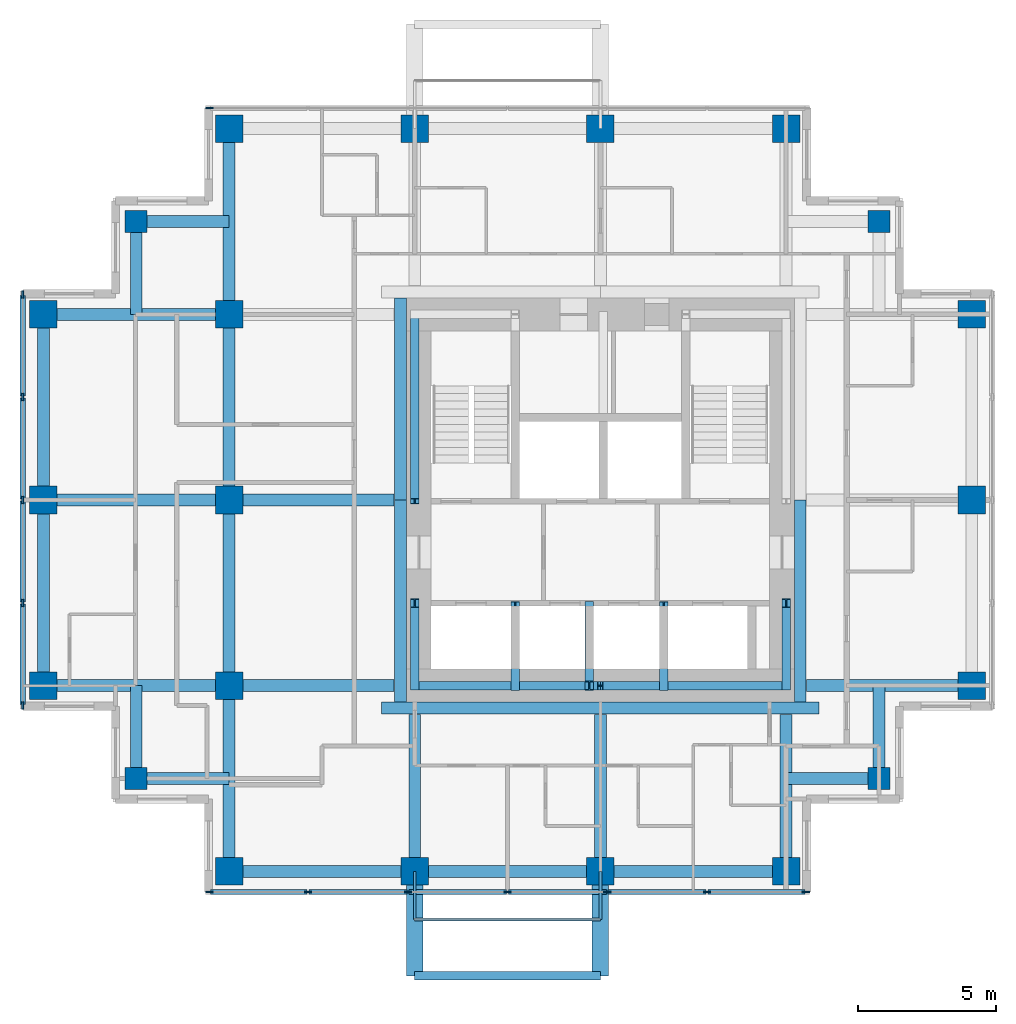
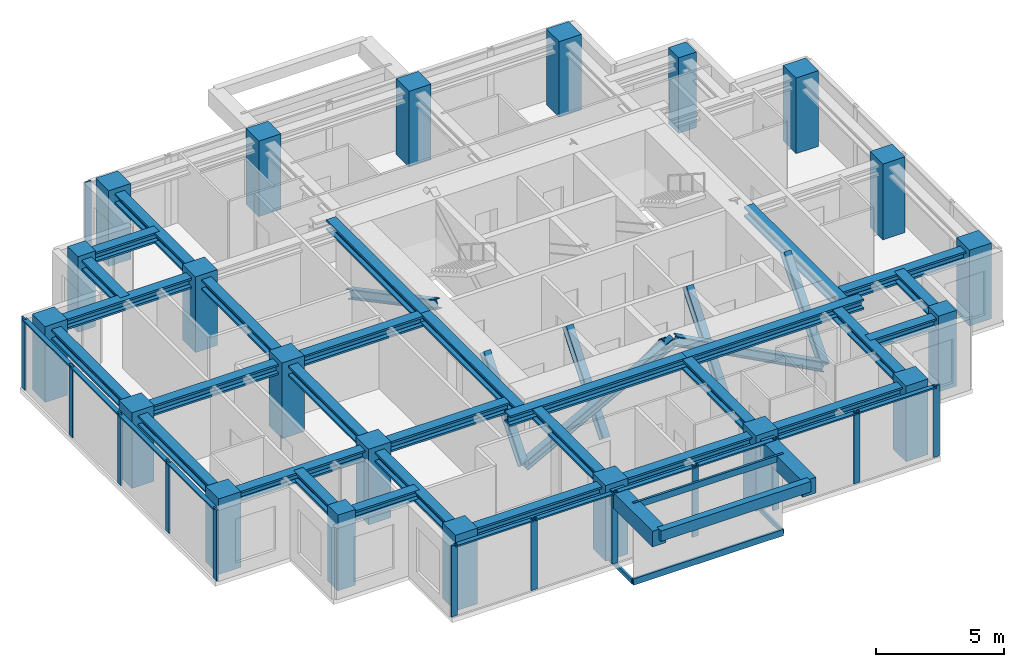
# One storey, part 1 of 7: 35 members, 32 beams, 21 columns, 3 elements without a shape of their own.
"""IFC4 building model written with IfcOpenShell, lengths in metres."""

from ifc_helpers import new_model, si_unit, direction, frame, origin, origin_2d, place, context, subcontext, project, spatial, rectangle, hollow_rectangle, i_section, extrude, material, material_profile, profile_set, type_object, element, aggregate, save


model = new_model("IFC4")

# Units and contexts
model_context = context("Model", 3, precision=1e-05, world=origin(), true_north=direction((0.0, 1.0)))
body_context = subcontext(model_context, "Body", "Model", "MODEL_VIEW")
ifc_project = project(units=[si_unit("LENGTHUNIT", "METRE"), si_unit("AREAUNIT", "SQUARE_METRE"), si_unit("VOLUMEUNIT", "CUBIC_METRE"), si_unit("PLANEANGLEUNIT", "RADIAN"), si_unit("MASSUNIT", "GRAM", prefix="KILO")], contexts=[model_context])

# Site, building, storey
site_placement = place(None, origin())
site = spatial("IfcSite", under=ifc_project, at=site_placement, CompositionType="ELEMENT")
building_placement = place(site_placement, origin())
building = spatial("IfcBuilding", under=site, at=building_placement, Name="Nyansa Garden Tower", CompositionType="ELEMENT")
storey_placement = place(building_placement, frame((0.0, 0.0, 236.699951171875)))
storey = spatial("IfcBuildingStorey", under=building, at=storey_placement, Name="L64", CompositionType="ELEMENT", Elevation=236.699951171875)

# Columns
ifc_material_1 = material(Name="Concrete C70/85", Category="concrete")
ifc_material_profile_1 = material_profile(ifc_material_1, rectangle(XDim=1.0, YDim=1.0, at=origin_2d()), Name="RC 1000x1000")
ifc_profile_set_1 = profile_set([ifc_material_profile_1], Name="Concrete C70/85")
column_type_1 = type_object("IfcColumnType", Name="Column C100 RC 1000x1000", PredefinedType="COLUMN", material=ifc_profile_set_1)
for number, where, z_axis, x_axis, name in (
    (1, (0.0, 13.5, 0.0), (0.0, 0.0, 1.0), (1.0, 0.0, 0.0), "Column 2/F L64"),
    (2, (0.0, 20.25, 0.0), (0.0, 0.0, 1.0), (1.0, 0.0, 0.0), "Column 2/G L64"),
    (3, (0.0, 27.0, 0.0), (0.0, 0.0, 1.0), (1.0, 0.0, 0.0), "Column 2/H L64"),
    (4, (6.75, 6.75, 0.0), (0.0, 0.0, 1.0), (1.0, 0.0, 0.0), "Column 3/E L64"),
    (5, (6.75, 13.5, 0.0), (0.0, 0.0, 1.0), (1.0, 0.0, 0.0), "Column 3/F L64"),
    (6, (6.75, 20.25, 0.0), (0.0, 0.0, 1.0), (1.0, 0.0, 0.0), "Column 3/G L64"),
    (7, (6.75, 27.0, 0.0), (0.0, 0.0, 1.0), (1.0, 0.0, 0.0), "Column 3/H L64"),
    (8, (6.75, 33.75, 0.0), (0.0, 0.0, 1.0), (1.0, 0.0, 0.0), "Column 3/J L64"),
    (9, (13.5, 6.75, 0.0), (0.0, 0.0, 1.0), (1.0, 0.0, 0.0), "Column 4/E L64"),
    (10, (13.5, 33.75, 0.0), (0.0, 0.0, 1.0), (1.0, 0.0, 0.0), "Column 4/J L64"),
    (11, (20.25, 6.75, 0.0), (0.0, 0.0, 1.0), (1.0, 0.0, 0.0), "Column 5/E L64"),
    (12, (20.25, 33.75, 0.0), (0.0, 0.0, 1.0), (1.0, 0.0, 0.0), "Column 5/J L64"),
    (13, (27.0, 6.75, 0.0), (0.0, 0.0, 1.0), (1.0, 0.0, 0.0), "Column 6/E L64"),
    (14, (27.0, 33.75, 0.0), (0.0, 0.0, 1.0), (1.0, 0.0, 0.0), "Column 6/J L64"),
    (15, (33.75, 13.5, 0.0), (0.0, 0.0, 1.0), (1.0, 0.0, 0.0), "Column 7/F L64"),
    (16, (33.75, 20.25, 0.0), (0.0, 0.0, 1.0), (1.0, 0.0, 0.0), "Column 7/G L64"),
    (17, (33.75, 27.0, 0.0), (0.0, 0.0, 1.0), (1.0, 0.0, 0.0), "Column 7/H L64"),
):
    element("IfcColumn", number, at=place(storey_placement, frame(where, z_axis=z_axis, x_axis=x_axis)), inside=storey, type_object=column_type_1, Name=name, PredefinedType="COLUMN", context=body_context, shape_type="SweptSolid", body=[
        extrude(rectangle(XDim=1.0, YDim=1.0, at=origin_2d()), origin(), (0.0, 0.0, 1.0), 3.60009765625),
    ])
ifc_material_2 = material(Name="Concrete C70/85", Category="concrete")
ifc_material_profile_2 = material_profile(ifc_material_2, rectangle(XDim=0.800048828125, YDim=0.800048828125, at=origin_2d()), Name="RC 800x800")
ifc_profile_set_2 = profile_set([ifc_material_profile_2], Name="Concrete C70/85")
column_type_2 = type_object("IfcColumnType", Name="Column C80 RC 800x800", PredefinedType="COLUMN", material=ifc_profile_set_2)
for number, where, z_axis, x_axis, name in (
    (18, (3.375, 10.125, 0.0), (0.0, 0.0, 1.0), (1.0, 0.0, 0.0), "Column x3.375/y10.125 L64"),
    (19, (3.375, 30.375, 0.0), (0.0, 0.0, 1.0), (1.0, 0.0, 0.0), "Column x3.375/y30.375 L64"),
    (20, (30.375, 10.125, 0.0), (0.0, 0.0, 1.0), (1.0, 0.0, 0.0), "Column x30.375/y10.125 L64"),
    (21, (30.375, 30.375, 0.0), (0.0, 0.0, 1.0), (1.0, 0.0, 0.0), "Column x30.375/y30.375 L64"),
):
    element("IfcColumn", number, at=place(storey_placement, frame(where, z_axis=z_axis, x_axis=x_axis)), inside=storey, type_object=column_type_2, Name=name, PredefinedType="COLUMN", context=body_context, shape_type="SweptSolid", body=[
        extrude(rectangle(XDim=0.800048828125, YDim=0.800048828125, at=origin_2d()), origin(), (0.0, 0.0, 1.0), 3.60009765625),
    ])

# Beams
ifc_material_3 = material(Name="Concrete C70/85", Category="concrete")
ifc_material_profile_3 = material_profile(ifc_material_3, rectangle(XDim=0.60009765625, YDim=0.75, at=origin_2d()), Name="RC 600x750")
ifc_profile_set_3 = profile_set([ifc_material_profile_3], Name="Concrete C70/85")
beam_type_1 = type_object("IfcBeamType", Name="Balcony cantilever beam CB1 RC 600x750", PredefinedType="BEAM", material=ifc_profile_set_3)
for number, where, z_axis, x_axis, name in (
    (22, (13.5, 6.75, 2.985107421875), (0.0, -1.0, 0.0), (1.0, 0.0, 0.0), "Balcony cantilever beam L65"),
    (23, (20.25, 6.75, 2.985107421875), (0.0, -1.0, 0.0), (1.0, 0.0, 0.0), "Balcony cantilever beam L65"),
):
    element("IfcBeam", number, at=place(storey_placement, frame(where, z_axis=z_axis, x_axis=x_axis)), inside=storey, type_object=beam_type_1, Name=name, PredefinedType="BEAM", context=body_context, shape_type="SweptSolid", body=[
        extrude(rectangle(XDim=0.60009765625, YDim=0.75, at=origin_2d()), origin(), (0.0, 0.0, 1.0), 3.800048828125),
    ])
ifc_material_4 = material(Name="Concrete C70/85", Category="concrete")
ifc_material_profile_4 = material_profile(ifc_material_4, rectangle(XDim=0.300048828125, YDim=0.5, at=origin_2d()), Name="RC 300x500")
ifc_profile_set_4 = profile_set([ifc_material_profile_4], Name="Concrete C70/85")
beam_type_2 = type_object("IfcBeamType", Name="Balcony edge beam BE1 RC 300x500", PredefinedType="BEAM", material=ifc_profile_set_4)
beam_1_placement = place(storey_placement, frame((13.5, 2.949951171875, 3.110107421875), z_axis=(1.0, 0.0, 0.0), x_axis=(0.0, 1.0, 0.0)))
element("IfcBeam", 24, at=beam_1_placement, inside=storey, type_object=beam_type_2, Name="Balcony edge beam L65", PredefinedType="BEAM", context=body_context, shape_type="SweptSolid", body=[
    extrude(rectangle(XDim=0.300048828125, YDim=0.5, at=origin_2d()), origin(), (0.0, 0.0, 1.0), 6.75),
])

# Curtain wall, member
ifc_material_5 = material(Name="Black anodised aluminium, dark tinted double glazing", Category="aluminium")
curtain_wall_type = type_object("IfcCurtainWallType", Name="Inner skin curtain wall ISW-D", PredefinedType="USERDEFINED", material=ifc_material_5)
curtain_wall_1_placement = place(storey_placement, origin())
curtain_wall_1 = element("IfcCurtainWall", 25, at=curtain_wall_1_placement, inside=storey, type_object=curtain_wall_type, Name="Inner skin curtain wall L64 N", ObjectType="UNITISED CURTAIN WALL", PredefinedType="USERDEFINED")
ifc_material_6 = material(Name="Black anodised aluminium", Category="aluminium")
ifc_material_profile_5 = material_profile(ifc_material_6, rectangle(XDim=0.070068359375, YDim=0.27490234375, at=origin_2d()), Name="Mullion 275x70")
ifc_profile_set_5 = profile_set([ifc_material_profile_5], Name="Black anodised aluminium")
member_type_1 = type_object("IfcMemberType", Name="Mullion ISW-D 275x70", PredefinedType="MULLION", material=ifc_profile_set_5)
member_1_placement = place(storey_placement, frame((6.034912109375, 34.5, 0.0), z_axis=(0.0, 0.0, 1.0), x_axis=(0.0, -1.0, 0.0)))
member_1 = element("IfcMember", 26, at=member_1_placement, type_object=member_type_1, Name="ISW-D mullion 7", PredefinedType="MULLION", context=body_context, shape_type="SweptSolid", body=[
    extrude(rectangle(XDim=0.070068359375, YDim=0.27490234375, at=origin_2d()), origin(), (0.0, 0.0, 1.0), 3.375),
])
aggregate(curtain_wall_1, [member_1])

# Curtain wall, members
curtain_wall_2_placement = place(storey_placement, origin())
curtain_wall_2 = element("IfcCurtainWall", 27, at=curtain_wall_2_placement, inside=storey, type_object=curtain_wall_type, Name="Inner skin curtain wall L64 W", ObjectType="UNITISED CURTAIN WALL", PredefinedType="USERDEFINED")
member_2_placement = place(storey_placement, frame((-0.75, 27.715087890625, 0.0), z_axis=(0.0, 0.0, 1.0), x_axis=(1.0, 0.0, 0.0)))
member_2 = element("IfcMember", 28, at=member_2_placement, type_object=member_type_1, Name="ISW-D mullion 1", PredefinedType="MULLION", context=body_context, shape_type="SweptSolid", body=[
    extrude(rectangle(XDim=0.070068359375, YDim=0.27490234375, at=origin_2d()), origin(), (0.0, 0.0, 1.0), 3.375),
])
member_3_placement = place(storey_placement, frame((-0.75, 24.0, 0.0), z_axis=(0.0, 0.0, 1.0), x_axis=(1.0, 0.0, 0.0)))
member_3 = element("IfcMember", 29, at=member_3_placement, type_object=member_type_1, Name="ISW-D mullion 2", PredefinedType="MULLION", context=body_context, shape_type="SweptSolid", body=[
    extrude(rectangle(XDim=0.070068359375, YDim=0.27490234375, at=origin_2d()), origin(), (0.0, 0.0, 1.0), 3.375),
])
member_4_placement = place(storey_placement, frame((-0.75, 20.25, 0.0), z_axis=(0.0, 0.0, 1.0), x_axis=(1.0, 0.0, 0.0)))
member_4 = element("IfcMember", 30, at=member_4_placement, type_object=member_type_1, Name="ISW-D mullion 3", PredefinedType="MULLION", context=body_context, shape_type="SweptSolid", body=[
    extrude(rectangle(XDim=0.070068359375, YDim=0.27490234375, at=origin_2d()), origin(), (0.0, 0.0, 1.0), 3.375),
])
member_5_placement = place(storey_placement, frame((-0.75, 16.5, 0.0), z_axis=(0.0, 0.0, 1.0), x_axis=(1.0, 0.0, 0.0)))
member_5 = element("IfcMember", 31, at=member_5_placement, type_object=member_type_1, Name="ISW-D mullion 4", PredefinedType="MULLION", context=body_context, shape_type="SweptSolid", body=[
    extrude(rectangle(XDim=0.070068359375, YDim=0.27490234375, at=origin_2d()), origin(), (0.0, 0.0, 1.0), 3.375),
])
member_6_placement = place(storey_placement, frame((-0.75, 12.784912109375, 0.0), z_axis=(0.0, 0.0, 1.0), x_axis=(1.0, 0.0, 0.0)))
member_6 = element("IfcMember", 32, at=member_6_placement, type_object=member_type_1, Name="ISW-D mullion 5", PredefinedType="MULLION", context=body_context, shape_type="SweptSolid", body=[
    extrude(rectangle(XDim=0.070068359375, YDim=0.27490234375, at=origin_2d()), origin(), (0.0, 0.0, 1.0), 3.375),
])

curtain_wall_3_placement = place(storey_placement, origin())
curtain_wall_3 = element("IfcCurtainWall", 33, at=curtain_wall_3_placement, inside=storey, type_object=curtain_wall_type, Name="Inner skin curtain wall L64 S", ObjectType="UNITISED CURTAIN WALL", PredefinedType="USERDEFINED")
member_7_placement = place(storey_placement, frame((6.034912109375, 6.0, 0.0), z_axis=(0.0, 0.0, 1.0), x_axis=(0.0, 1.0, 0.0)))
member_7 = element("IfcMember", 34, at=member_7_placement, type_object=member_type_1, Name="ISW-D mullion 1", PredefinedType="MULLION", context=body_context, shape_type="SweptSolid", body=[
    extrude(rectangle(XDim=0.070068359375, YDim=0.27490234375, at=origin_2d()), origin(), (0.0, 0.0, 1.0), 3.375),
])
member_8_placement = place(storey_placement, frame((9.625, 6.0, 0.0), z_axis=(0.0, 0.0, 1.0), x_axis=(0.0, 1.0, 0.0)))
member_8 = element("IfcMember", 35, at=member_8_placement, type_object=member_type_1, Name="ISW-D mullion 2", PredefinedType="MULLION", context=body_context, shape_type="SweptSolid", body=[
    extrude(rectangle(XDim=0.070068359375, YDim=0.27490234375, at=origin_2d()), origin(), (0.0, 0.0, 1.0), 3.375),
])
member_9_placement = place(storey_placement, frame((13.25, 6.0, 0.0), z_axis=(0.0, 0.0, 1.0), x_axis=(0.0, 1.0, 0.0)))
member_9 = element("IfcMember", 36, at=member_9_placement, type_object=member_type_1, Name="ISW-D mullion 3", PredefinedType="MULLION", context=body_context, shape_type="SweptSolid", body=[
    extrude(rectangle(XDim=0.070068359375, YDim=0.27490234375, at=origin_2d()), origin(), (0.0, 0.0, 1.0), 3.375),
])
member_10_placement = place(storey_placement, frame((16.875, 6.0, 0.0), z_axis=(0.0, 0.0, 1.0), x_axis=(0.0, 1.0, 0.0)))
member_10 = element("IfcMember", 37, at=member_10_placement, type_object=member_type_1, Name="ISW-D mullion 4", PredefinedType="MULLION", context=body_context, shape_type="SweptSolid", body=[
    extrude(rectangle(XDim=0.070068359375, YDim=0.27490234375, at=origin_2d()), origin(), (0.0, 0.0, 1.0), 3.375),
])
member_11_placement = place(storey_placement, frame((20.5, 6.0, 0.0), z_axis=(0.0, 0.0, 1.0), x_axis=(0.0, 1.0, 0.0)))
member_11 = element("IfcMember", 38, at=member_11_placement, type_object=member_type_1, Name="ISW-D mullion 5", PredefinedType="MULLION", context=body_context, shape_type="SweptSolid", body=[
    extrude(rectangle(XDim=0.070068359375, YDim=0.27490234375, at=origin_2d()), origin(), (0.0, 0.0, 1.0), 3.375),
])
member_12_placement = place(storey_placement, frame((24.125, 6.0, 0.0), z_axis=(0.0, 0.0, 1.0), x_axis=(0.0, 1.0, 0.0)))
member_12 = element("IfcMember", 39, at=member_12_placement, type_object=member_type_1, Name="ISW-D mullion 6", PredefinedType="MULLION", context=body_context, shape_type="SweptSolid", body=[
    extrude(rectangle(XDim=0.070068359375, YDim=0.27490234375, at=origin_2d()), origin(), (0.0, 0.0, 1.0), 3.375),
])
member_13_placement = place(storey_placement, frame((27.715087890625, 6.0, 0.0), z_axis=(0.0, 0.0, 1.0), x_axis=(0.0, 1.0, 0.0)))
member_13 = element("IfcMember", 40, at=member_13_placement, type_object=member_type_1, Name="ISW-D mullion 7", PredefinedType="MULLION", context=body_context, shape_type="SweptSolid", body=[
    extrude(rectangle(XDim=0.070068359375, YDim=0.27490234375, at=origin_2d()), origin(), (0.0, 0.0, 1.0), 3.375),
])

# Members
ifc_material_7 = material(Name="Steel S355, black powder coated", Category="steel")
ifc_material_profile_6 = material_profile(ifc_material_7, hollow_rectangle(XDim=0.10009765625, YDim=0.199951171875, WallThickness=0.008056640625, at=origin_2d()), Name="RHS 200x100x8")
ifc_profile_set_6 = profile_set([ifc_material_profile_6], Name="Steel S355, black powder coated")
member_type_2 = type_object("IfcMemberType", Name="Outer skin bracket arm RHS 200x100x8", PredefinedType="USERDEFINED", material=ifc_profile_set_6)
for number, where, z_axis, x_axis, name in (
    (41, (13.5, 6.75, -0.375), (0.0, -1.0, 0.0), (1.0, 0.0, 0.0), "Outer skin bracket arm"),
    (42, (20.25, 6.75, -0.375), (0.0, -1.0, 0.0), (1.0, 0.0, 0.0), "Outer skin bracket arm"),
):
    element("IfcMember", number, at=place(storey_placement, frame(where, z_axis=z_axis, x_axis=x_axis)), inside=storey, type_object=member_type_2, Name=name, ObjectType="OUTER SKIN BRACKET", PredefinedType="USERDEFINED", context=body_context, shape_type="SweptSolid", body=[
        extrude(hollow_rectangle(XDim=0.10009765625, YDim=0.199951171875, WallThickness=0.008056640625, at=origin_2d()), origin(), (0.0, 0.0, 1.0), 1.75),
    ])
ifc_material_8 = material(Name="Steel S355, black powder coated", Category="steel")
ifc_material_profile_7 = material_profile(ifc_material_8, hollow_rectangle(XDim=0.10009765625, YDim=0.300048828125, WallThickness=0.010009765625, at=origin_2d()), Name="RHS 300x100x10")
ifc_profile_set_7 = profile_set([ifc_material_profile_7], Name="Steel S355, black powder coated")
member_type_3 = type_object("IfcMemberType", Name="Outer skin rail RHS 300x100x10", PredefinedType="USERDEFINED", material=ifc_profile_set_7)
for number, where, z_axis, x_axis, name in (
    (43, (13.5, 5.0, -0.375), (1.0, 0.0, 0.0), (0.0, 1.0, 0.0), "Outer skin rail L64"),
    (44, (13.5, 5.0, 3.22509765625), (1.0, 0.0, 0.0), (0.0, 1.0, 0.0), "Outer skin rail L64 head"),
):
    element("IfcMember", number, at=place(storey_placement, frame(where, z_axis=z_axis, x_axis=x_axis)), inside=storey, type_object=member_type_3, Name=name, ObjectType="OUTER SKIN RAIL", PredefinedType="USERDEFINED", context=body_context, shape_type="SweptSolid", body=[
        extrude(hollow_rectangle(XDim=0.10009765625, YDim=0.300048828125, WallThickness=0.010009765625, at=origin_2d()), origin(), (0.0, 0.0, 1.0), 6.75),
    ])
ifc_material_9 = material(Name="Steel S355", Category="steel")
ifc_material_profile_8 = material_profile(ifc_material_9, i_section(OverallWidth=0.306884765625, OverallDepth=0.431884765625, WebThickness=0.02099609375, FlangeThickness=0.0400390625, FilletRadius=0.027099609375, at=origin_2d()), Name="HE 400 M")
ifc_profile_set_8 = profile_set([ifc_material_profile_8], Name="Steel S355")
member_type_4 = type_object("IfcMemberType", Name="Perimeter brace HE 400 M", PredefinedType="BRACE", material=ifc_profile_set_8)
for number, where, z_axis, x_axis, name in (
    (45, (13.5, 13.5, 0.0), (0.882347640589, 0.0, 0.47059817376), (0.0, 1.0, 0.0), "Core brace CS1 L64"),
    (46, (27.0, 13.5, 0.0), (-0.882347640589, 0.0, 0.47059817376), (0.0, -1.0, 0.0), "Core brace CS2 L64"),
):
    element("IfcMember", number, at=place(storey_placement, frame(where, z_axis=z_axis, x_axis=x_axis)), inside=storey, type_object=member_type_4, Name=name, PredefinedType="BRACE", context=body_context, shape_type="SweptSolid", body=[
        extrude(i_section(OverallWidth=0.306884765625, OverallDepth=0.431884765625, WebThickness=0.02099609375, FlangeThickness=0.0400390625, FilletRadius=0.027099609375, at=origin_2d()), origin(), (0.0, 0.0, 1.0), 7.650146484375),
    ])
member_14_placement = place(storey_placement, frame((13.5, 13.5, 0.0), z_axis=(0.0, 0.640174150918, 0.768229820104), x_axis=(-1.0, 0.0, 0.0)))
element("IfcMember", 47, at=member_14_placement, inside=storey, type_object=member_type_4, Name="Core brace CW5 L64", PredefinedType="BRACE", context=body_context, shape_type="SweptSolid", body=[
    extrude(i_section(OverallWidth=0.306884765625, OverallDepth=0.431884765625, WebThickness=0.02099609375, FlangeThickness=0.0400390625, FilletRadius=0.027099609375, at=origin_2d()), origin(), (0.0, 0.0, 1.0), 4.686279296875),
])
member_15_placement = place(storey_placement, frame((13.5, 27.0, 0.0), z_axis=(0.0, -0.883784057226, 0.467895009796), x_axis=(1.0, 0.0, 0.0)))
element("IfcMember", 48, at=member_15_placement, inside=storey, type_object=member_type_4, Name="Core brace CW6 L64", PredefinedType="BRACE", context=body_context, shape_type="SweptSolid", body=[
    extrude(i_section(OverallWidth=0.306884765625, OverallDepth=0.431884765625, WebThickness=0.02099609375, FlangeThickness=0.0400390625, FilletRadius=0.027099609375, at=origin_2d()), origin(), (0.0, 0.0, 1.0), 7.6943359375),
])
member_16_placement = place(storey_placement, frame((27.0, 13.5, 0.0), z_axis=(0.0, 0.640174150918, 0.768229820104), x_axis=(-1.0, 0.0, 0.0)))
element("IfcMember", 49, at=member_16_placement, inside=storey, type_object=member_type_4, Name="Core brace CE7 L64", PredefinedType="BRACE", context=body_context, shape_type="SweptSolid", body=[
    extrude(i_section(OverallWidth=0.306884765625, OverallDepth=0.431884765625, WebThickness=0.02099609375, FlangeThickness=0.0400390625, FilletRadius=0.027099609375, at=origin_2d()), origin(), (0.0, 0.0, 1.0), 4.686279296875),
])
for number, where, z_axis, x_axis, name in (
    (50, (17.14990234375, 13.5, 0.0), (0.0, 0.627306405886, 0.778772542617), (-1.0, 0.0, 0.0), "Core brace CSW11 L64"),
    (51, (19.85009765625, 16.39990234375, 0.0), (0.0, -0.627306405886, 0.778772542617), (1.0, 0.0, 0.0), "Core brace CSW12 L64"),
    (52, (22.550048828125, 13.5, 0.0), (0.0, 0.627306405886, 0.778772542617), (-1.0, 0.0, 0.0), "Core brace CSW13 L64"),
):
    element("IfcMember", number, at=place(storey_placement, frame(where, z_axis=z_axis, x_axis=x_axis)), inside=storey, type_object=member_type_4, Name=name, PredefinedType="BRACE", context=body_context, shape_type="SweptSolid", body=[
        extrude(i_section(OverallWidth=0.306884765625, OverallDepth=0.431884765625, WebThickness=0.02099609375, FlangeThickness=0.0400390625, FilletRadius=0.027099609375, at=origin_2d()), origin(), (0.0, 0.0, 1.0), 4.622802734375),
    ])

# Beams
ifc_material_10 = material(Name="Steel S355", Category="steel")
ifc_material_profile_9 = material_profile(ifc_material_10, i_section(OverallWidth=0.431884765625, OverallDepth=0.498046875, WebThickness=0.0556640625, FlangeThickness=0.0888671875, FilletRadius=0.014892578125, at=origin_2d()), Name="HD 400x744")
ifc_profile_set_9 = profile_set([ifc_material_profile_9], Name="Steel S355")
beam_type_3 = type_object("IfcBeamType", Name="Steel beam SBD1-744 HD 400x744", PredefinedType="BEAM", material=ifc_profile_set_9)
for number, where, z_axis, x_axis, name in (
    (53, (0.0, 13.5, 3.1259765625), (1.0, 0.0, 0.0), (0.0, 1.0, 0.0), "Steel beam 2/F-3/F L65"),
    (54, (0.0, 20.25, 3.1259765625), (1.0, 0.0, 0.0), (0.0, 1.0, 0.0), "Steel beam 2/G-3/G L65"),
    (55, (0.0, 27.0, 3.1259765625), (1.0, 0.0, 0.0), (0.0, 1.0, 0.0), "Steel beam 2/H-3/H L65"),
    (56, (6.75, 6.75, 3.1259765625), (0.0, 1.0, 0.0), (-1.0, 0.0, 0.0), "Steel beam 3/E-3/F L65"),
    (57, (6.75, 13.5, 3.1259765625), (0.0, 1.0, 0.0), (-1.0, 0.0, 0.0), "Steel beam 3/F-3/G L65"),
):
    element("IfcBeam", number, at=place(storey_placement, frame(where, z_axis=z_axis, x_axis=x_axis)), inside=storey, type_object=beam_type_3, Name=name, PredefinedType="BEAM", context=body_context, shape_type="SweptSolid", body=[
        extrude(i_section(OverallWidth=0.431884765625, OverallDepth=0.498046875, WebThickness=0.0556640625, FlangeThickness=0.0888671875, FilletRadius=0.014892578125, at=origin_2d()), origin(), (0.0, 0.0, 1.0), 6.75),
    ])
beam_2_placement = place(storey_placement, frame((6.75, 13.5, 3.1259765625), z_axis=(1.0, 0.0, 0.0), x_axis=(0.0, 1.0, 0.0)))
element("IfcBeam", 58, at=beam_2_placement, inside=storey, type_object=beam_type_3, Name="Steel beam 3/F-12.750/F L65", PredefinedType="BEAM", context=body_context, shape_type="SweptSolid", body=[
    extrude(i_section(OverallWidth=0.431884765625, OverallDepth=0.498046875, WebThickness=0.0556640625, FlangeThickness=0.0888671875, FilletRadius=0.014892578125, at=origin_2d()), origin(), (0.0, 0.0, 1.0), 6.0),
])
beam_3_placement = place(storey_placement, frame((6.75, 20.25, 3.1259765625), z_axis=(0.0, 1.0, 0.0), x_axis=(-1.0, 0.0, 0.0)))
element("IfcBeam", 59, at=beam_3_placement, inside=storey, type_object=beam_type_3, Name="Steel beam 3/G-3/H L65", PredefinedType="BEAM", context=body_context, shape_type="SweptSolid", body=[
    extrude(i_section(OverallWidth=0.431884765625, OverallDepth=0.498046875, WebThickness=0.0556640625, FlangeThickness=0.0888671875, FilletRadius=0.014892578125, at=origin_2d()), origin(), (0.0, 0.0, 1.0), 6.75),
])
beam_4_placement = place(storey_placement, frame((6.75, 20.25, 3.1259765625), z_axis=(1.0, 0.0, 0.0), x_axis=(0.0, 1.0, 0.0)))
element("IfcBeam", 60, at=beam_4_placement, inside=storey, type_object=beam_type_3, Name="Steel beam 3/G-12.750/G L65", PredefinedType="BEAM", context=body_context, shape_type="SweptSolid", body=[
    extrude(i_section(OverallWidth=0.431884765625, OverallDepth=0.498046875, WebThickness=0.0556640625, FlangeThickness=0.0888671875, FilletRadius=0.014892578125, at=origin_2d()), origin(), (0.0, 0.0, 1.0), 6.0),
])
beam_5_placement = place(storey_placement, frame((6.75, 27.0, 3.1259765625), z_axis=(0.0, 1.0, 0.0), x_axis=(-1.0, 0.0, 0.0)))
element("IfcBeam", 61, at=beam_5_placement, inside=storey, type_object=beam_type_3, Name="Steel beam 3/H-3/J L65", PredefinedType="BEAM", context=body_context, shape_type="SweptSolid", body=[
    extrude(i_section(OverallWidth=0.431884765625, OverallDepth=0.498046875, WebThickness=0.0556640625, FlangeThickness=0.0888671875, FilletRadius=0.014892578125, at=origin_2d()), origin(), (0.0, 0.0, 1.0), 6.75),
])
for number, where, z_axis, x_axis, name in (
    (62, (13.5, 6.75, 3.1259765625), (0.0, 1.0, 0.0), (-1.0, 0.0, 0.0), "Steel beam 4/E-4/12.450 L65"),
    (63, (20.25, 6.75, 3.1259765625), (0.0, 1.0, 0.0), (-1.0, 0.0, 0.0), "Steel beam 5/E-5/12.450 L65"),
    (64, (27.0, 6.75, 3.1259765625), (0.0, 1.0, 0.0), (-1.0, 0.0, 0.0), "Steel beam 6/E-6/12.450 L65"),
):
    element("IfcBeam", number, at=place(storey_placement, frame(where, z_axis=z_axis, x_axis=x_axis)), inside=storey, type_object=beam_type_3, Name=name, PredefinedType="BEAM", context=body_context, shape_type="SweptSolid", body=[
        extrude(i_section(OverallWidth=0.431884765625, OverallDepth=0.498046875, WebThickness=0.0556640625, FlangeThickness=0.0888671875, FilletRadius=0.014892578125, at=origin_2d()), origin(), (0.0, 0.0, 1.0), 5.699951171875),
    ])
beam_6_placement = place(storey_placement, frame((27.75, 13.5, 3.1259765625), z_axis=(1.0, 0.0, 0.0), x_axis=(0.0, 1.0, 0.0)))
element("IfcBeam", 65, at=beam_6_placement, inside=storey, type_object=beam_type_3, Name="Steel beam 27.750/F-7/F L65", PredefinedType="BEAM", context=body_context, shape_type="SweptSolid", body=[
    extrude(i_section(OverallWidth=0.431884765625, OverallDepth=0.498046875, WebThickness=0.0556640625, FlangeThickness=0.0888671875, FilletRadius=0.014892578125, at=origin_2d()), origin(), (0.0, 0.0, 1.0), 6.0),
])
ifc_material_11 = material(Name="Steel S355", Category="steel")
ifc_material_profile_10 = material_profile(ifc_material_11, i_section(OverallWidth=0.431884765625, OverallDepth=0.498046875, WebThickness=0.0556640625, FlangeThickness=0.0888671875, FilletRadius=0.014892578125, at=origin_2d()), Name="HD 400x744")
ifc_profile_set_10 = profile_set([ifc_material_profile_10], Name="Steel S355")
beam_type_4 = type_object("IfcBeamType", Name="Steel beam SEBD-744 HD 400x744", PredefinedType="BEAM", material=ifc_profile_set_10)
for number, where, z_axis, x_axis, name in (
    (66, (0.0, 13.5, 3.1259765625), (0.0, 1.0, 0.0), (-1.0, 0.0, 0.0), "Steel edge beam 2/F-2/G L65"),
    (67, (0.0, 20.25, 3.1259765625), (0.0, 1.0, 0.0), (-1.0, 0.0, 0.0), "Steel edge beam 2/G-2/H L65"),
    (68, (6.75, 6.75, 3.1259765625), (1.0, 0.0, 0.0), (0.0, 1.0, 0.0), "Steel edge beam 3/E-4/E L65"),
    (69, (13.5, 6.75, 3.1259765625), (1.0, 0.0, 0.0), (0.0, 1.0, 0.0), "Steel edge beam 4/E-5/E L65"),
    (70, (20.25, 6.75, 3.1259765625), (1.0, 0.0, 0.0), (0.0, 1.0, 0.0), "Steel edge beam 5/E-6/E L65"),
):
    element("IfcBeam", number, at=place(storey_placement, frame(where, z_axis=z_axis, x_axis=x_axis)), inside=storey, type_object=beam_type_4, Name=name, PredefinedType="BEAM", context=body_context, shape_type="SweptSolid", body=[
        extrude(i_section(OverallWidth=0.431884765625, OverallDepth=0.498046875, WebThickness=0.0556640625, FlangeThickness=0.0888671875, FilletRadius=0.014892578125, at=origin_2d()), origin(), (0.0, 0.0, 1.0), 6.75),
    ])
ifc_material_12 = material(Name="Steel S355", Category="steel")
ifc_material_profile_11 = material_profile(ifc_material_12, i_section(OverallWidth=0.431884765625, OverallDepth=0.498046875, WebThickness=0.0556640625, FlangeThickness=0.0888671875, FilletRadius=0.014892578125, at=origin_2d()), Name="HD 400x744")
ifc_profile_set_11 = profile_set([ifc_material_profile_11], Name="Steel S355")
beam_type_5 = type_object("IfcBeamType", Name="Steel beam SLB1-744 HD 400x744", PredefinedType="BEAM", material=ifc_profile_set_11)
for number, where, z_axis, x_axis, name in (
    (71, (12.300048828125, 12.68408203125, 3.1259765625), (1.0, 0.0, 0.0), (0.0, 1.0, 0.0), "Steel core ledger beam S.1 L65"),
    (72, (20.25, 12.68408203125, 3.1259765625), (1.0, 0.0, 0.0), (0.0, 1.0, 0.0), "Steel core ledger beam S.2 L65"),
):
    element("IfcBeam", number, at=place(storey_placement, frame(where, z_axis=z_axis, x_axis=x_axis)), inside=storey, type_object=beam_type_5, Name=name, PredefinedType="BEAM", context=body_context, shape_type="SweptSolid", body=[
        extrude(i_section(OverallWidth=0.431884765625, OverallDepth=0.498046875, WebThickness=0.0556640625, FlangeThickness=0.0888671875, FilletRadius=0.014892578125, at=origin_2d()), origin(), (0.0, 0.0, 1.0), 7.949951171875),
    ])
for number, where, z_axis, x_axis, name in (
    (73, (27.51611328125, 12.89990234375, 3.1259765625), (0.0, 1.0, 0.0), (-1.0, 0.0, 0.0), "Steel core ledger beam E.1 L65"),
    (74, (12.98388671875, 27.60009765625, 3.1259765625), (0.0, -1.0, 0.0), (1.0, 0.0, 0.0), "Steel core ledger beam W.1 L65"),
    (75, (12.98388671875, 20.25, 3.1259765625), (0.0, -1.0, 0.0), (1.0, 0.0, 0.0), "Steel core ledger beam W.2 L65"),
):
    element("IfcBeam", number, at=place(storey_placement, frame(where, z_axis=z_axis, x_axis=x_axis)), inside=storey, type_object=beam_type_5, Name=name, PredefinedType="BEAM", context=body_context, shape_type="SweptSolid", body=[
        extrude(i_section(OverallWidth=0.431884765625, OverallDepth=0.498046875, WebThickness=0.0556640625, FlangeThickness=0.0888671875, FilletRadius=0.014892578125, at=origin_2d()), origin(), (0.0, 0.0, 1.0), 7.35009765625),
    ])
ifc_material_13 = material(Name="Steel S355", Category="steel")
ifc_material_profile_12 = material_profile(ifc_material_13, i_section(OverallWidth=0.431884765625, OverallDepth=0.498046875, WebThickness=0.0556640625, FlangeThickness=0.0888671875, FilletRadius=0.014892578125, at=origin_2d()), Name="HD 400x744")
ifc_profile_set_12 = profile_set([ifc_material_profile_12], Name="Steel S355")
beam_type_6 = type_object("IfcBeamType", Name="Steel beam SSB1-744 HD 400x744", PredefinedType="BEAM", material=ifc_profile_set_12)
for number, where, z_axis, x_axis, name in (
    (76, (3.375, 10.125, 3.1259765625), (0.0, 1.0, 0.0), (-1.0, 0.0, 0.0), "Steel step beam 3.375/10.125 L65"),
    (77, (3.375, 10.125, 3.1259765625), (1.0, 0.0, 0.0), (0.0, 1.0, 0.0), "Steel step beam 3.375/10.125 L65"),
    (78, (30.375, 10.125, 3.1259765625), (0.0, 1.0, 0.0), (-1.0, 0.0, 0.0), "Steel step beam 30.375/10.125 L65"),
    (79, (30.375, 10.125, 3.1259765625), (-1.0, 0.0, 0.0), (0.0, -1.0, 0.0), "Steel step beam 30.375/10.125 L65"),
    (80, (3.375, 30.375, 3.1259765625), (0.0, -1.0, 0.0), (1.0, 0.0, 0.0), "Steel step beam 3.375/30.375 L65"),
    (81, (3.375, 30.375, 3.1259765625), (1.0, 0.0, 0.0), (0.0, 1.0, 0.0), "Steel step beam 3.375/30.375 L65"),
):
    element("IfcBeam", number, at=place(storey_placement, frame(where, z_axis=z_axis, x_axis=x_axis)), inside=storey, type_object=beam_type_6, Name=name, PredefinedType="BEAM", context=body_context, shape_type="SweptSolid", body=[
        extrude(i_section(OverallWidth=0.431884765625, OverallDepth=0.498046875, WebThickness=0.0556640625, FlangeThickness=0.0888671875, FilletRadius=0.014892578125, at=origin_2d()), origin(), (0.0, 0.0, 1.0), 3.375),
    ])

# Member
ifc_material_14 = material(Name="Black anodised aluminium", Category="aluminium")
ifc_material_profile_13 = material_profile(ifc_material_14, rectangle(XDim=0.195068359375, YDim=0.070068359375, at=origin_2d()), Name="Transom 195x70")
ifc_profile_set_13 = profile_set([ifc_material_profile_13], Name="Black anodised aluminium")
member_type_5 = type_object("IfcMemberType", Name="Transom ISW-D 195x70", PredefinedType="USERDEFINED", material=ifc_profile_set_13)
member_17_placement = place(storey_placement, frame((-0.75, 27.679931640625, 3.340087890625), z_axis=(0.0, -1.0, 0.0), x_axis=(1.0, 0.0, 0.0)))
member_17 = element("IfcMember", 82, at=member_17_placement, type_object=member_type_5, Name="ISW-D transom 1", ObjectType="TRANSOM", PredefinedType="USERDEFINED", context=body_context, shape_type="SweptSolid", body=[
    extrude(rectangle(XDim=0.195068359375, YDim=0.070068359375, at=origin_2d()), origin(), (0.0, 0.0, 1.0), 3.64501953125),
])

member_18_placement = place(storey_placement, frame((-0.75, 23.965087890625, 3.340087890625), z_axis=(0.0, -1.0, 0.0), x_axis=(1.0, 0.0, 0.0)))
member_18 = element("IfcMember", 83, at=member_18_placement, type_object=member_type_5, Name="ISW-D transom 2", ObjectType="TRANSOM", PredefinedType="USERDEFINED", context=body_context, shape_type="SweptSolid", body=[
    extrude(rectangle(XDim=0.195068359375, YDim=0.070068359375, at=origin_2d()), origin(), (0.0, 0.0, 1.0), 3.68017578125),
])

member_19_placement = place(storey_placement, frame((-0.75, 20.215087890625, 3.340087890625), z_axis=(0.0, -1.0, 0.0), x_axis=(1.0, 0.0, 0.0)))
member_19 = element("IfcMember", 84, at=member_19_placement, type_object=member_type_5, Name="ISW-D transom 3", ObjectType="TRANSOM", PredefinedType="USERDEFINED", context=body_context, shape_type="SweptSolid", body=[
    extrude(rectangle(XDim=0.195068359375, YDim=0.070068359375, at=origin_2d()), origin(), (0.0, 0.0, 1.0), 3.68017578125),
])

member_20_placement = place(storey_placement, frame((-0.75, 16.465087890625, 3.340087890625), z_axis=(0.0, -1.0, 0.0), x_axis=(1.0, 0.0, 0.0)))
member_20 = element("IfcMember", 85, at=member_20_placement, type_object=member_type_5, Name="ISW-D transom 4", ObjectType="TRANSOM", PredefinedType="USERDEFINED", context=body_context, shape_type="SweptSolid", body=[
    extrude(rectangle(XDim=0.195068359375, YDim=0.070068359375, at=origin_2d()), origin(), (0.0, 0.0, 1.0), 3.64501953125),
])

aggregate(curtain_wall_2, [member_2, member_3, member_4, member_5, member_6, member_17, member_18, member_19, member_20])

member_21_placement = place(storey_placement, frame((6.070068359375, 6.0, 3.340087890625), z_axis=(1.0, 0.0, 0.0), x_axis=(0.0, 1.0, 0.0)))
member_21 = element("IfcMember", 86, at=member_21_placement, type_object=member_type_5, Name="ISW-D transom 1", ObjectType="TRANSOM", PredefinedType="USERDEFINED", context=body_context, shape_type="SweptSolid", body=[
    extrude(rectangle(XDim=0.195068359375, YDim=0.070068359375, at=origin_2d()), origin(), (0.0, 0.0, 1.0), 3.52001953125),
])

member_22_placement = place(storey_placement, frame((9.659912109375, 6.0, 3.340087890625), z_axis=(1.0, 0.0, 0.0), x_axis=(0.0, 1.0, 0.0)))
member_22 = element("IfcMember", 87, at=member_22_placement, type_object=member_type_5, Name="ISW-D transom 2", ObjectType="TRANSOM", PredefinedType="USERDEFINED", context=body_context, shape_type="SweptSolid", body=[
    extrude(rectangle(XDim=0.195068359375, YDim=0.070068359375, at=origin_2d()), origin(), (0.0, 0.0, 1.0), 3.55517578125),
])

member_23_placement = place(storey_placement, frame((13.284912109375, 6.0, 3.340087890625), z_axis=(1.0, 0.0, 0.0), x_axis=(0.0, 1.0, 0.0)))
member_23 = element("IfcMember", 88, at=member_23_placement, type_object=member_type_5, Name="ISW-D transom 3", ObjectType="TRANSOM", PredefinedType="USERDEFINED", context=body_context, shape_type="SweptSolid", body=[
    extrude(rectangle(XDim=0.195068359375, YDim=0.070068359375, at=origin_2d()), origin(), (0.0, 0.0, 1.0), 3.55517578125),
])

member_24_placement = place(storey_placement, frame((16.909912109375, 6.0, 3.340087890625), z_axis=(1.0, 0.0, 0.0), x_axis=(0.0, 1.0, 0.0)))
member_24 = element("IfcMember", 89, at=member_24_placement, type_object=member_type_5, Name="ISW-D transom 4", ObjectType="TRANSOM", PredefinedType="USERDEFINED", context=body_context, shape_type="SweptSolid", body=[
    extrude(rectangle(XDim=0.195068359375, YDim=0.070068359375, at=origin_2d()), origin(), (0.0, 0.0, 1.0), 3.55517578125),
])

member_25_placement = place(storey_placement, frame((20.534912109375, 6.0, 3.340087890625), z_axis=(1.0, 0.0, 0.0), x_axis=(0.0, 1.0, 0.0)))
member_25 = element("IfcMember", 90, at=member_25_placement, type_object=member_type_5, Name="ISW-D transom 5", ObjectType="TRANSOM", PredefinedType="USERDEFINED", context=body_context, shape_type="SweptSolid", body=[
    extrude(rectangle(XDim=0.195068359375, YDim=0.070068359375, at=origin_2d()), origin(), (0.0, 0.0, 1.0), 3.55517578125),
])

member_26_placement = place(storey_placement, frame((24.159912109375, 6.0, 3.340087890625), z_axis=(1.0, 0.0, 0.0), x_axis=(0.0, 1.0, 0.0)))
member_26 = element("IfcMember", 91, at=member_26_placement, type_object=member_type_5, Name="ISW-D transom 6", ObjectType="TRANSOM", PredefinedType="USERDEFINED", context=body_context, shape_type="SweptSolid", body=[
    extrude(rectangle(XDim=0.195068359375, YDim=0.070068359375, at=origin_2d()), origin(), (0.0, 0.0, 1.0), 3.52001953125),
])

aggregate(curtain_wall_3, [member_7, member_8, member_9, member_10, member_11, member_12, member_13, member_21, member_22, member_23, member_24, member_25, member_26])

save(model, "model.ifc")
